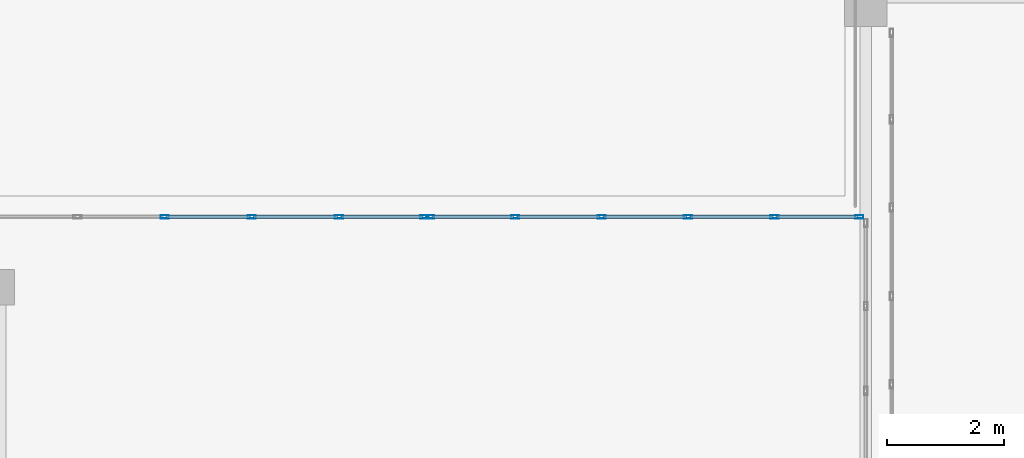
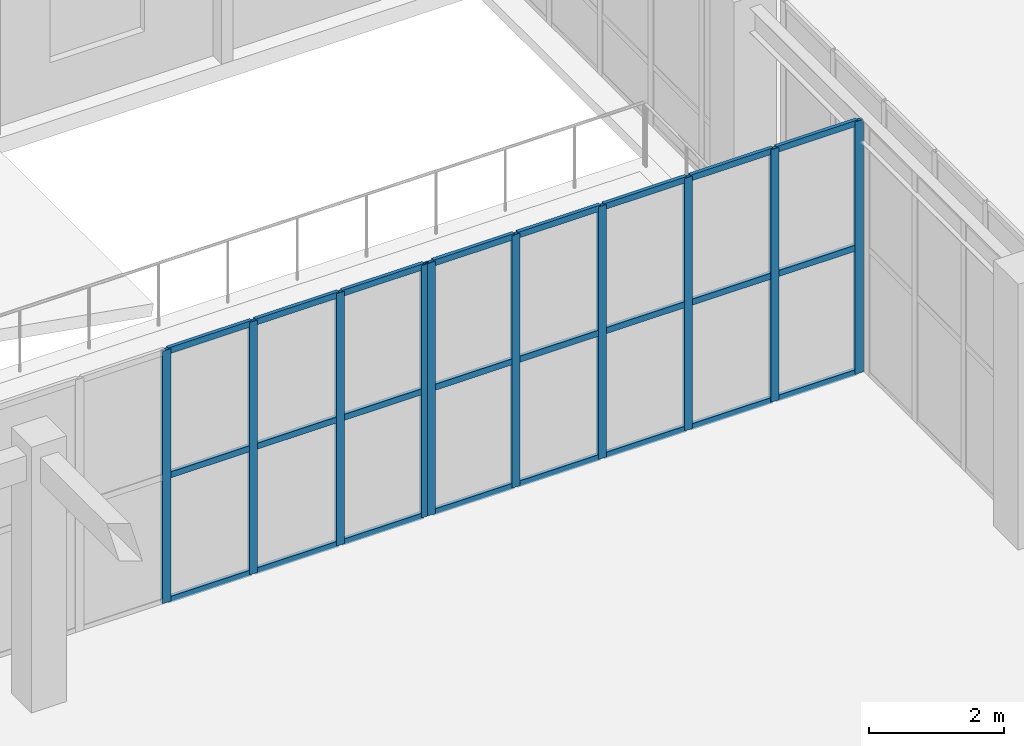
# One storey, part 70 of 158: 34 members, 2 elements without a shape of their own.
"""IFC4 building model written with IfcOpenShell, lengths in metres."""

import ifcopenshell
import ifcopenshell.guid

model = None  # the IFC model being written
_history = None  # IfcOwnerHistory: only IFC2X3 demands one
_inside = {}  # id of a spatial element -> (the spatial element, [elements in it])
_under = {}  # id of a project, library or spatial element -> (it, [spatial elements below it])
_declared = {}  # id of a project -> (the project, [libraries it declares])
_typed = {}  # id of a type object -> (the type object, [elements of that type])
_made_of = {}  # id of a material, layer set ... -> (it, [elements and type objects made of it])


def new_model(schema):
    """Start an empty IFC model of exactly this schema.

    Asked for "IFC4X3", IfcOpenShell would pick the latest addendum, in which some entities
    have other attributes; the version numbers below select the first issue.
    IFC2X3 requires an IfcOwnerHistory on every rooted entity: one is made here for all.
    """
    global model, _history
    if schema == "IFC4X3":
        model = ifcopenshell.file(schema_version=(4, 3, 0, 0))
    else:
        model = ifcopenshell.file(schema=schema)
    _inside.clear()
    _under.clear()
    _declared.clear()
    _typed.clear()
    _made_of.clear()
    _history = None
    if model.schema == "IFC2X3":
        org = make("IfcOrganization", Name="unknown")
        user = make(
            "IfcPersonAndOrganization",
            ThePerson=make("IfcPerson", FamilyName="unknown"),
            TheOrganization=org,
        )
        app = make(
            "IfcApplication",
            ApplicationDeveloper=org,
            Version="unknown",
            ApplicationFullName="unknown",
            ApplicationIdentifier="unknown",
        )
        _history = make(
            "IfcOwnerHistory",
            OwningUser=user,
            OwningApplication=app,
            ChangeAction="ADDED",
            CreationDate=0,
        )
    return model


def make(cls, **values):
    """One entity of the class cls with the attributes given. An attribute that is None is left unset."""
    return model.create_entity(
        cls, **{name: value for name, value in values.items() if value is not None}
    )


def rooted(cls, **values):
    """An entity with a GlobalId (a new one), such as an element, a storey or a relation."""
    return make(cls, GlobalId=ifcopenshell.guid.new(), OwnerHistory=_history, **values)


def si_unit(unit_type, name, prefix=None):
    """IfcSIUnit, for example si_unit("LENGTHUNIT", "METRE", prefix="MILLI")."""
    return make("IfcSIUnit", UnitType=unit_type, Prefix=prefix, Name=name)


def assignment(units):
    """IfcUnitAssignment: the units of a project."""
    return None if units is None else make("IfcUnitAssignment", Units=units)


def point(xyz):
    """IfcCartesianPoint."""
    return None if xyz is None else make("IfcCartesianPoint", Coordinates=xyz)


def direction(xyz):
    """IfcDirection."""
    return None if xyz is None else make("IfcDirection", DirectionRatios=xyz)


def frame(location, z_axis=None, x_axis=None):
    """IfcAxis2Placement3D, a coordinate frame: its origin and axes. An axis left out is left unset."""
    return make(
        "IfcAxis2Placement3D",
        Location=point(location),
        Axis=direction(z_axis),
        RefDirection=direction(x_axis),
    )


def frame_2d(location, x_axis=None):
    """IfcAxis2Placement2D, a coordinate frame in the plane: its origin and x axis."""
    return make(
        "IfcAxis2Placement2D", Location=point(location), RefDirection=direction(x_axis)
    )


def origin():
    """The frame at (0, 0, 0) with its axes left unset."""
    return frame((0.0, 0.0, 0.0))


def origin_2d():
    """The frame at (0, 0) in the plane with its x axis left unset."""
    return frame_2d((0.0, 0.0))


def place(relative_to, where):
    """IfcLocalPlacement: puts the frame where relative to a parent placement (None: the world)."""
    return make(
        "IfcLocalPlacement", PlacementRelTo=relative_to, RelativePlacement=where
    )


def context(
    kind, dimensions, precision=None, world=None, true_north=None, identifier=None
):
    """IfcGeometricRepresentationContext, for example the 3D "Model" context."""
    return make(
        "IfcGeometricRepresentationContext",
        ContextIdentifier=identifier,
        ContextType=kind,
        CoordinateSpaceDimension=dimensions,
        Precision=precision,
        WorldCoordinateSystem=world,
        TrueNorth=true_north,
    )


def subcontext(parent, identifier, kind, view, scale=None):
    """IfcGeometricRepresentationSubContext, for example "Body" below "Model"."""
    return make(
        "IfcGeometricRepresentationSubContext",
        ContextIdentifier=identifier,
        ContextType=kind,
        ParentContext=parent,
        TargetScale=scale,
        TargetView=view,
    )


def project(units=None, contexts=None):
    """IfcProject with its units and contexts."""
    return rooted(
        "IfcProject",
        Name="project",
        RepresentationContexts=contexts,
        UnitsInContext=assignment(units),
    )


def spatial(cls, under=None, at=None, **own):
    """A site, building, storey or space (cls), placed at a placement, below another one or the project."""
    s = rooted(cls, ObjectPlacement=at, **own)
    if under is not None:
        _under.setdefault(under.id(), (under, []))[1].append(s)
    return s


def profile(cls, at=None, kind="AREA", **sizes):
    """A parametric profile (cls). Its sizes go by their IFC names, for example OverallWidth=200.0."""
    return make(cls, ProfileType=kind, Position=at, **sizes)


def hollow_rectangle(**sizes):
    """IfcRectangleHollowProfileDef."""
    return profile("IfcRectangleHollowProfileDef", **sizes)


def extrude(swept, where, along, depth):
    """IfcExtrudedAreaSolid: the profile swept, set in the frame where, extruded along a direction by depth."""
    return make(
        "IfcExtrudedAreaSolid",
        SweptArea=swept,
        Position=where,
        ExtrudedDirection=direction(along),
        Depth=depth,
    )


def shape(context_of_items, identifier, shape_type, items):
    """IfcShapeRepresentation: the items that make up one representation, for example the "Body"."""
    return make(
        "IfcShapeRepresentation",
        ContextOfItems=context_of_items,
        RepresentationIdentifier=identifier,
        RepresentationType=shape_type,
        Items=items,
    )


def material(Name=None, Category=None):
    """IfcMaterial."""
    return make("IfcMaterial", Name=Name, Category=Category)


def layer(
    of_material, thickness, ventilated=None, Name=None, Category=None, Priority=None
):
    """IfcMaterialLayer: one layer of a wall or slab, of a material (None: an air gap)."""
    return make(
        "IfcMaterialLayer",
        Material=of_material,
        LayerThickness=thickness,
        IsVentilated=ventilated,
        Name=Name,
        Category=Category,
        Priority=Priority,
    )


def layer_set(layers, Name=None):
    """IfcMaterialLayerSet."""
    return make("IfcMaterialLayerSet", MaterialLayers=layers, LayerSetName=Name)


def material_profile(
    of_material, cross_section, Name=None, Category=None, Priority=None
):
    """IfcMaterialProfile: a cross section and its material."""
    return make(
        "IfcMaterialProfile",
        Name=Name,
        Material=of_material,
        Profile=cross_section,
        Priority=Priority,
        Category=Category,
    )


def profile_set(profiles, Name=None, composite=None):
    """IfcMaterialProfileSet."""
    return make(
        "IfcMaterialProfileSet",
        Name=Name,
        MaterialProfiles=profiles,
        CompositeProfile=composite,
    )


def made_of(thing, what):
    """Note that an element or type object is made of a material, layer set ...; save() writes the relation."""
    if what is not None:
        _made_of.setdefault(what.id(), (what, []))[1].append(thing)
    return thing


def type_object(cls, material=None, **own):
    """A type object (cls), such as IfcWallType, which elements share."""
    return made_of(rooted(cls, **own), material)


def element(
    cls,
    number,
    at=None,
    inside=None,
    cuts=None,
    type_object=None,
    material=None,
    context=None,
    identifier="Body",
    shape_type=None,
    held_by="IfcProductDefinitionShape",
    body=None,
    shapes=None,
    **own,
):
    """One element of the class cls, such as IfcWall. Its Tag is "e" and its number.

    at: its placement. inside: the storey or other place that contains it. cuts: it is an
    opening in that element (IfcRelVoidsElement). A single representation is given by context,
    identifier, shape_type and body (its items); several are given by shapes. held_by: the class
    of the entity that holds the representations. save() writes the other relations.
    """
    e = rooted(cls, Tag="e%d" % number, ObjectPlacement=at, **own)
    if body is not None:
        shapes = [shape(context, identifier, shape_type, body)]
    if shapes is not None:
        e.Representation = make(held_by, Representations=shapes)
    if inside is not None:
        _inside.setdefault(inside.id(), (inside, []))[1].append(e)
    if cuts is not None:
        rooted(
            "IfcRelVoidsElement", RelatingBuildingElement=cuts, RelatedOpeningElement=e
        )
    if type_object is not None:
        _typed.setdefault(type_object.id(), (type_object, []))[1].append(e)
    return made_of(e, material)


def aggregate(whole, parts):
    """IfcRelAggregates: a whole, such as a stair, and the parts it consists of."""
    return rooted("IfcRelAggregates", RelatingObject=whole, RelatedObjects=parts)


def save(model, path):
    """Write the relations noted so far, then the file.

    IfcRelAggregates (storeys below a building ...), IfcRelContainedInSpatialStructure (elements
    in a storey), IfcRelDefinesByType, IfcRelAssociatesMaterial and IfcRelDeclares: one each for
    every whole, place, type object, material and project.
    """
    for whole, parts in _under.values():
        aggregate(whole, parts)
    for where, things in _inside.values():
        rooted(
            "IfcRelContainedInSpatialStructure",
            RelatedElements=things,
            RelatingStructure=where,
        )
    for kind, things in _typed.values():
        rooted("IfcRelDefinesByType", RelatedObjects=things, RelatingType=kind)
    for what, things in _made_of.values():
        rooted("IfcRelAssociatesMaterial", RelatedObjects=things, RelatingMaterial=what)
    for by, libraries in _declared.values():
        rooted("IfcRelDeclares", RelatingContext=by, RelatedDefinitions=libraries)
    model.write(path)


model = new_model("IFC4")

# Units and contexts
model_context = context("Model", 3, precision=1e-05, world=origin(), true_north=direction((0.0, 1.0)))
body_context = subcontext(model_context, "Body", "Model", "MODEL_VIEW")
ifc_project = project(units=[si_unit("LENGTHUNIT", "METRE"), si_unit("AREAUNIT", "SQUARE_METRE"), si_unit("VOLUMEUNIT", "CUBIC_METRE"), si_unit("PLANEANGLEUNIT", "RADIAN"), si_unit("MASSUNIT", "GRAM", prefix="KILO")], contexts=[model_context])

# Site, building, storey
site_placement = place(None, origin())
site = spatial("IfcSite", under=ifc_project, at=site_placement, CompositionType="ELEMENT")
building_placement = place(site_placement, origin())
building = spatial("IfcBuilding", under=site, at=building_placement, Name="Trelvath General Hospital", CompositionType="ELEMENT")
storey_placement = place(building_placement, frame((0.0, 0.0, 8.10009765625)))
storey = spatial("IfcBuildingStorey", under=building, at=storey_placement, Name="L02", CompositionType="ELEMENT", Elevation=8.10009765625)

# Curtain wall, members
ifc_material_1 = material(Name="Anodised aluminium and low-E glass", Category="aluminium")
ifc_layer_1 = layer(ifc_material_1, 0.139892578125)
ifc_layer_set_1 = layer_set([ifc_layer_1], Name="Anodised aluminium and low-E glass")
curtain_wall_type_1 = type_object("IfcCurtainWallType", Name="CW CrystalCube 743 456 14", PredefinedType="USERDEFINED", material=ifc_layer_set_1)
curtain_wall_1_placement = place(storey_placement, origin())
curtain_wall_1 = element("IfcCurtainWall", 1, at=curtain_wall_1_placement, inside=storey, type_object=curtain_wall_type_1, Name="Crystal Cube Curtain Wall CUBE-W-T1 N2 L02", ObjectType="Unitised Glazed Curtain Wall", PredefinedType="USERDEFINED")
ifc_material_2 = material(Name="Anodised aluminium", Category="aluminium")
ifc_material_profile_1 = material_profile(ifc_material_2, hollow_rectangle(XDim=0.06005859375, YDim=0.139892578125, WallThickness=0.00390625, at=origin_2d()), Name="RHS60x140x4")
ifc_profile_set_1 = profile_set([ifc_material_profile_1], Name="Anodised aluminium")
member_type_1 = type_object("IfcMemberType", Name="CurtainMullion 60x140", PredefinedType="MULLION", material=ifc_profile_set_1)
member_1_placement = place(storey_placement, frame((63.6572265625, 80.39990234375, 0.0), z_axis=(0.0, 0.0, 1.0), x_axis=(0.0, 1.0, 0.0)))
member_1 = element("IfcMember", 2, at=member_1_placement, type_object=member_type_1, Name="CW-194 mullion 3", PredefinedType="MULLION", context=body_context, shape_type="SweptSolid", body=[
    extrude(hollow_rectangle(XDim=0.06005859375, YDim=0.139892578125, WallThickness=0.00390625, at=origin_2d()), origin(), (0.0, 0.0, 1.0), 4.559814453125),
])
member_2_placement = place(storey_placement, frame((65.142578125, 80.39990234375, 0.0), z_axis=(0.0, 0.0, 1.0), x_axis=(0.0, 1.0, 0.0)))
member_2 = element("IfcMember", 3, at=member_2_placement, type_object=member_type_1, Name="CW-194 mullion 4", PredefinedType="MULLION", context=body_context, shape_type="SweptSolid", body=[
    extrude(hollow_rectangle(XDim=0.06005859375, YDim=0.139892578125, WallThickness=0.00390625, at=origin_2d()), origin(), (0.0, 0.0, 1.0), 4.559814453125),
])
member_3_placement = place(storey_placement, frame((66.6279296875, 80.39990234375, 0.0), z_axis=(0.0, 0.0, 1.0), x_axis=(0.0, 1.0, 0.0)))
member_3 = element("IfcMember", 4, at=member_3_placement, type_object=member_type_1, Name="CW-194 mullion 5", PredefinedType="MULLION", context=body_context, shape_type="SweptSolid", body=[
    extrude(hollow_rectangle(XDim=0.06005859375, YDim=0.139892578125, WallThickness=0.00390625, at=origin_2d()), origin(), (0.0, 0.0, 1.0), 4.559814453125),
])
member_4_placement = place(storey_placement, frame((68.083251953125, 80.39990234375, 0.0), z_axis=(0.0, 0.0, 1.0), x_axis=(0.0, 1.0, 0.0)))
member_4 = element("IfcMember", 5, at=member_4_placement, type_object=member_type_1, Name="CW-194 mullion 6", PredefinedType="MULLION", context=body_context, shape_type="SweptSolid", body=[
    extrude(hollow_rectangle(XDim=0.06005859375, YDim=0.139892578125, WallThickness=0.00390625, at=origin_2d()), origin(), (0.0, 0.0, 1.0), 4.559814453125),
])

ifc_material_3 = material(Name="Anodised aluminium and low-E glass", Category="aluminium")
ifc_layer_2 = layer(ifc_material_3, 0.139892578125)
ifc_layer_set_2 = layer_set([ifc_layer_2], Name="Anodised aluminium and low-E glass")
curtain_wall_type_2 = type_object("IfcCurtainWallType", Name="CW CrystalCube 737 456 14", PredefinedType="USERDEFINED", material=ifc_layer_set_2)
curtain_wall_2_placement = place(storey_placement, origin())
curtain_wall_2 = element("IfcCurtainWall", 6, at=curtain_wall_2_placement, inside=storey, type_object=curtain_wall_type_2, Name="Crystal Cube Curtain Wall CUBE-W-T1 N3 L02", ObjectType="Unitised Glazed Curtain Wall", PredefinedType="USERDEFINED")
member_5_placement = place(storey_placement, frame((68.183349609375, 80.39990234375, 0.0), z_axis=(0.0, 0.0, 1.0), x_axis=(0.0, 1.0, 0.0)))
member_5 = element("IfcMember", 7, at=member_5_placement, type_object=member_type_1, Name="CW-195 mullion 1", PredefinedType="MULLION", context=body_context, shape_type="SweptSolid", body=[
    extrude(hollow_rectangle(XDim=0.06005859375, YDim=0.139892578125, WallThickness=0.00390625, at=origin_2d()), origin(), (0.0, 0.0, 1.0), 4.559814453125),
])
member_6_placement = place(storey_placement, frame((69.626708984375, 80.39990234375, 0.0), z_axis=(0.0, 0.0, 1.0), x_axis=(0.0, 1.0, 0.0)))
member_6 = element("IfcMember", 8, at=member_6_placement, type_object=member_type_1, Name="CW-195 mullion 2", PredefinedType="MULLION", context=body_context, shape_type="SweptSolid", body=[
    extrude(hollow_rectangle(XDim=0.06005859375, YDim=0.139892578125, WallThickness=0.00390625, at=origin_2d()), origin(), (0.0, 0.0, 1.0), 4.559814453125),
])
member_7_placement = place(storey_placement, frame((71.10009765625, 80.39990234375, 0.0), z_axis=(0.0, 0.0, 1.0), x_axis=(0.0, 1.0, 0.0)))
member_7 = element("IfcMember", 9, at=member_7_placement, type_object=member_type_1, Name="CW-195 mullion 3", PredefinedType="MULLION", context=body_context, shape_type="SweptSolid", body=[
    extrude(hollow_rectangle(XDim=0.06005859375, YDim=0.139892578125, WallThickness=0.00390625, at=origin_2d()), origin(), (0.0, 0.0, 1.0), 4.559814453125),
])
member_8_placement = place(storey_placement, frame((72.5732421875, 80.39990234375, 0.0), z_axis=(0.0, 0.0, 1.0), x_axis=(0.0, 1.0, 0.0)))
member_8 = element("IfcMember", 10, at=member_8_placement, type_object=member_type_1, Name="CW-195 mullion 4", PredefinedType="MULLION", context=body_context, shape_type="SweptSolid", body=[
    extrude(hollow_rectangle(XDim=0.06005859375, YDim=0.139892578125, WallThickness=0.00390625, at=origin_2d()), origin(), (0.0, 0.0, 1.0), 4.559814453125),
])
member_9_placement = place(storey_placement, frame((74.046630859375, 80.39990234375, 0.0), z_axis=(0.0, 0.0, 1.0), x_axis=(0.0, 1.0, 0.0)))
member_9 = element("IfcMember", 11, at=member_9_placement, type_object=member_type_1, Name="CW-195 mullion 5", PredefinedType="MULLION", context=body_context, shape_type="SweptSolid", body=[
    extrude(hollow_rectangle(XDim=0.06005859375, YDim=0.139892578125, WallThickness=0.00390625, at=origin_2d()), origin(), (0.0, 0.0, 1.0), 4.559814453125),
])
member_10_placement = place(storey_placement, frame((75.489990234375, 80.39990234375, 0.0), z_axis=(0.0, 0.0, 1.0), x_axis=(0.0, 1.0, 0.0)))
member_10 = element("IfcMember", 12, at=member_10_placement, type_object=member_type_1, Name="CW-195 mullion 6", PredefinedType="MULLION", context=body_context, shape_type="SweptSolid", body=[
    extrude(hollow_rectangle(XDim=0.06005859375, YDim=0.139892578125, WallThickness=0.00390625, at=origin_2d()), origin(), (0.0, 0.0, 1.0), 4.559814453125),
])

# Member
ifc_material_4 = material(Name="Anodised aluminium", Category="aluminium")
ifc_material_profile_2 = material_profile(ifc_material_4, hollow_rectangle(XDim=0.06005859375, YDim=0.110107421875, WallThickness=0.00390625, at=origin_2d()), Name="RHS60x110x4")
ifc_profile_set_2 = profile_set([ifc_material_profile_2], Name="Anodised aluminium")
member_type_2 = type_object("IfcMemberType", Name="CurtainTransom 60x110", PredefinedType="USERDEFINED", material=ifc_profile_set_2)
member_11_placement = place(storey_placement, frame((63.687255859375, 80.39990234375, 0.02978515625), z_axis=(1.0, 0.0, 0.0), x_axis=(0.0, 1.0, 0.0)))
member_11 = element("IfcMember", 13, at=member_11_placement, type_object=member_type_2, Name="CW-194 transom 3.1", ObjectType="TRANSOM", PredefinedType="USERDEFINED", context=body_context, shape_type="SweptSolid", body=[
    extrude(hollow_rectangle(XDim=0.06005859375, YDim=0.110107421875, WallThickness=0.00390625, at=origin_2d()), origin(), (0.0, 0.0, 1.0), 1.42529296875),
])

member_12_placement = place(storey_placement, frame((63.687255859375, 80.39990234375, 2.27978515625), z_axis=(1.0, 0.0, 0.0), x_axis=(0.0, 1.0, 0.0)))
member_12 = element("IfcMember", 14, at=member_12_placement, type_object=member_type_2, Name="CW-194 transom 3.2", ObjectType="TRANSOM", PredefinedType="USERDEFINED", context=body_context, shape_type="SweptSolid", body=[
    extrude(hollow_rectangle(XDim=0.06005859375, YDim=0.110107421875, WallThickness=0.00390625, at=origin_2d()), origin(), (0.0, 0.0, 1.0), 1.42529296875),
])

member_13_placement = place(storey_placement, frame((63.687255859375, 80.39990234375, 4.52978515625), z_axis=(1.0, 0.0, 0.0), x_axis=(0.0, 1.0, 0.0)))
member_13 = element("IfcMember", 15, at=member_13_placement, type_object=member_type_2, Name="CW-194 transom 3.3", ObjectType="TRANSOM", PredefinedType="USERDEFINED", context=body_context, shape_type="SweptSolid", body=[
    extrude(hollow_rectangle(XDim=0.06005859375, YDim=0.110107421875, WallThickness=0.00390625, at=origin_2d()), origin(), (0.0, 0.0, 1.0), 1.42529296875),
])

member_14_placement = place(storey_placement, frame((65.172607421875, 80.39990234375, 0.02978515625), z_axis=(1.0, 0.0, 0.0), x_axis=(0.0, 1.0, 0.0)))
member_14 = element("IfcMember", 16, at=member_14_placement, type_object=member_type_2, Name="CW-194 transom 4.1", ObjectType="TRANSOM", PredefinedType="USERDEFINED", context=body_context, shape_type="SweptSolid", body=[
    extrude(hollow_rectangle(XDim=0.06005859375, YDim=0.110107421875, WallThickness=0.00390625, at=origin_2d()), origin(), (0.0, 0.0, 1.0), 1.42529296875),
])

member_15_placement = place(storey_placement, frame((65.172607421875, 80.39990234375, 2.27978515625), z_axis=(1.0, 0.0, 0.0), x_axis=(0.0, 1.0, 0.0)))
member_15 = element("IfcMember", 17, at=member_15_placement, type_object=member_type_2, Name="CW-194 transom 4.2", ObjectType="TRANSOM", PredefinedType="USERDEFINED", context=body_context, shape_type="SweptSolid", body=[
    extrude(hollow_rectangle(XDim=0.06005859375, YDim=0.110107421875, WallThickness=0.00390625, at=origin_2d()), origin(), (0.0, 0.0, 1.0), 1.42529296875),
])

member_16_placement = place(storey_placement, frame((65.172607421875, 80.39990234375, 4.52978515625), z_axis=(1.0, 0.0, 0.0), x_axis=(0.0, 1.0, 0.0)))
member_16 = element("IfcMember", 18, at=member_16_placement, type_object=member_type_2, Name="CW-194 transom 4.3", ObjectType="TRANSOM", PredefinedType="USERDEFINED", context=body_context, shape_type="SweptSolid", body=[
    extrude(hollow_rectangle(XDim=0.06005859375, YDim=0.110107421875, WallThickness=0.00390625, at=origin_2d()), origin(), (0.0, 0.0, 1.0), 1.42529296875),
])

member_17_placement = place(storey_placement, frame((66.657958984375, 80.39990234375, 0.02978515625), z_axis=(1.0, 0.0, 0.0), x_axis=(0.0, 1.0, 0.0)))
member_17 = element("IfcMember", 19, at=member_17_placement, type_object=member_type_2, Name="CW-194 transom 5.1", ObjectType="TRANSOM", PredefinedType="USERDEFINED", context=body_context, shape_type="SweptSolid", body=[
    extrude(hollow_rectangle(XDim=0.06005859375, YDim=0.110107421875, WallThickness=0.00390625, at=origin_2d()), origin(), (0.0, 0.0, 1.0), 1.395263671875),
])

member_18_placement = place(storey_placement, frame((66.657958984375, 80.39990234375, 2.27978515625), z_axis=(1.0, 0.0, 0.0), x_axis=(0.0, 1.0, 0.0)))
member_18 = element("IfcMember", 20, at=member_18_placement, type_object=member_type_2, Name="CW-194 transom 5.2", ObjectType="TRANSOM", PredefinedType="USERDEFINED", context=body_context, shape_type="SweptSolid", body=[
    extrude(hollow_rectangle(XDim=0.06005859375, YDim=0.110107421875, WallThickness=0.00390625, at=origin_2d()), origin(), (0.0, 0.0, 1.0), 1.395263671875),
])

member_19_placement = place(storey_placement, frame((66.657958984375, 80.39990234375, 4.52978515625), z_axis=(1.0, 0.0, 0.0), x_axis=(0.0, 1.0, 0.0)))
member_19 = element("IfcMember", 21, at=member_19_placement, type_object=member_type_2, Name="CW-194 transom 5.3", ObjectType="TRANSOM", PredefinedType="USERDEFINED", context=body_context, shape_type="SweptSolid", body=[
    extrude(hollow_rectangle(XDim=0.06005859375, YDim=0.110107421875, WallThickness=0.00390625, at=origin_2d()), origin(), (0.0, 0.0, 1.0), 1.395263671875),
])

aggregate(curtain_wall_1, [member_1, member_2, member_3, member_4, member_11, member_12, member_13, member_14, member_15, member_16, member_17, member_18, member_19])

member_20_placement = place(storey_placement, frame((68.21337890625, 80.39990234375, 0.02978515625), z_axis=(1.0, 0.0, 0.0), x_axis=(0.0, 1.0, 0.0)))
member_20 = element("IfcMember", 22, at=member_20_placement, type_object=member_type_2, Name="CW-195 transom 1.1", ObjectType="TRANSOM", PredefinedType="USERDEFINED", context=body_context, shape_type="SweptSolid", body=[
    extrude(hollow_rectangle(XDim=0.06005859375, YDim=0.110107421875, WallThickness=0.00390625, at=origin_2d()), origin(), (0.0, 0.0, 1.0), 1.38330078125),
])

member_21_placement = place(storey_placement, frame((68.21337890625, 80.39990234375, 2.27978515625), z_axis=(1.0, 0.0, 0.0), x_axis=(0.0, 1.0, 0.0)))
member_21 = element("IfcMember", 23, at=member_21_placement, type_object=member_type_2, Name="CW-195 transom 1.2", ObjectType="TRANSOM", PredefinedType="USERDEFINED", context=body_context, shape_type="SweptSolid", body=[
    extrude(hollow_rectangle(XDim=0.06005859375, YDim=0.110107421875, WallThickness=0.00390625, at=origin_2d()), origin(), (0.0, 0.0, 1.0), 1.38330078125),
])

member_22_placement = place(storey_placement, frame((68.21337890625, 80.39990234375, 4.52978515625), z_axis=(1.0, 0.0, 0.0), x_axis=(0.0, 1.0, 0.0)))
member_22 = element("IfcMember", 24, at=member_22_placement, type_object=member_type_2, Name="CW-195 transom 1.3", ObjectType="TRANSOM", PredefinedType="USERDEFINED", context=body_context, shape_type="SweptSolid", body=[
    extrude(hollow_rectangle(XDim=0.06005859375, YDim=0.110107421875, WallThickness=0.00390625, at=origin_2d()), origin(), (0.0, 0.0, 1.0), 1.38330078125),
])

member_23_placement = place(storey_placement, frame((69.65673828125, 80.39990234375, 0.02978515625), z_axis=(1.0, 0.0, 0.0), x_axis=(0.0, 1.0, 0.0)))
member_23 = element("IfcMember", 25, at=member_23_placement, type_object=member_type_2, Name="CW-195 transom 2.1", ObjectType="TRANSOM", PredefinedType="USERDEFINED", context=body_context, shape_type="SweptSolid", body=[
    extrude(hollow_rectangle(XDim=0.06005859375, YDim=0.110107421875, WallThickness=0.00390625, at=origin_2d()), origin(), (0.0, 0.0, 1.0), 1.413330078125),
])

member_24_placement = place(storey_placement, frame((69.65673828125, 80.39990234375, 2.27978515625), z_axis=(1.0, 0.0, 0.0), x_axis=(0.0, 1.0, 0.0)))
member_24 = element("IfcMember", 26, at=member_24_placement, type_object=member_type_2, Name="CW-195 transom 2.2", ObjectType="TRANSOM", PredefinedType="USERDEFINED", context=body_context, shape_type="SweptSolid", body=[
    extrude(hollow_rectangle(XDim=0.06005859375, YDim=0.110107421875, WallThickness=0.00390625, at=origin_2d()), origin(), (0.0, 0.0, 1.0), 1.413330078125),
])

member_25_placement = place(storey_placement, frame((69.65673828125, 80.39990234375, 4.52978515625), z_axis=(1.0, 0.0, 0.0), x_axis=(0.0, 1.0, 0.0)))
member_25 = element("IfcMember", 27, at=member_25_placement, type_object=member_type_2, Name="CW-195 transom 2.3", ObjectType="TRANSOM", PredefinedType="USERDEFINED", context=body_context, shape_type="SweptSolid", body=[
    extrude(hollow_rectangle(XDim=0.06005859375, YDim=0.110107421875, WallThickness=0.00390625, at=origin_2d()), origin(), (0.0, 0.0, 1.0), 1.413330078125),
])

member_26_placement = place(storey_placement, frame((71.1298828125, 80.39990234375, 0.02978515625), z_axis=(1.0, 0.0, 0.0), x_axis=(0.0, 1.0, 0.0)))
member_26 = element("IfcMember", 28, at=member_26_placement, type_object=member_type_2, Name="CW-195 transom 3.1", ObjectType="TRANSOM", PredefinedType="USERDEFINED", context=body_context, shape_type="SweptSolid", body=[
    extrude(hollow_rectangle(XDim=0.06005859375, YDim=0.110107421875, WallThickness=0.00390625, at=origin_2d()), origin(), (0.0, 0.0, 1.0), 1.413330078125),
])

member_27_placement = place(storey_placement, frame((71.1298828125, 80.39990234375, 2.27978515625), z_axis=(1.0, 0.0, 0.0), x_axis=(0.0, 1.0, 0.0)))
member_27 = element("IfcMember", 29, at=member_27_placement, type_object=member_type_2, Name="CW-195 transom 3.2", ObjectType="TRANSOM", PredefinedType="USERDEFINED", context=body_context, shape_type="SweptSolid", body=[
    extrude(hollow_rectangle(XDim=0.06005859375, YDim=0.110107421875, WallThickness=0.00390625, at=origin_2d()), origin(), (0.0, 0.0, 1.0), 1.413330078125),
])

member_28_placement = place(storey_placement, frame((71.1298828125, 80.39990234375, 4.52978515625), z_axis=(1.0, 0.0, 0.0), x_axis=(0.0, 1.0, 0.0)))
member_28 = element("IfcMember", 30, at=member_28_placement, type_object=member_type_2, Name="CW-195 transom 3.3", ObjectType="TRANSOM", PredefinedType="USERDEFINED", context=body_context, shape_type="SweptSolid", body=[
    extrude(hollow_rectangle(XDim=0.06005859375, YDim=0.110107421875, WallThickness=0.00390625, at=origin_2d()), origin(), (0.0, 0.0, 1.0), 1.413330078125),
])

member_29_placement = place(storey_placement, frame((72.603271484375, 80.39990234375, 0.02978515625), z_axis=(1.0, 0.0, 0.0), x_axis=(0.0, 1.0, 0.0)))
member_29 = element("IfcMember", 31, at=member_29_placement, type_object=member_type_2, Name="CW-195 transom 4.1", ObjectType="TRANSOM", PredefinedType="USERDEFINED", context=body_context, shape_type="SweptSolid", body=[
    extrude(hollow_rectangle(XDim=0.06005859375, YDim=0.110107421875, WallThickness=0.00390625, at=origin_2d()), origin(), (0.0, 0.0, 1.0), 1.413330078125),
])

member_30_placement = place(storey_placement, frame((72.603271484375, 80.39990234375, 2.27978515625), z_axis=(1.0, 0.0, 0.0), x_axis=(0.0, 1.0, 0.0)))
member_30 = element("IfcMember", 32, at=member_30_placement, type_object=member_type_2, Name="CW-195 transom 4.2", ObjectType="TRANSOM", PredefinedType="USERDEFINED", context=body_context, shape_type="SweptSolid", body=[
    extrude(hollow_rectangle(XDim=0.06005859375, YDim=0.110107421875, WallThickness=0.00390625, at=origin_2d()), origin(), (0.0, 0.0, 1.0), 1.413330078125),
])

member_31_placement = place(storey_placement, frame((72.603271484375, 80.39990234375, 4.52978515625), z_axis=(1.0, 0.0, 0.0), x_axis=(0.0, 1.0, 0.0)))
member_31 = element("IfcMember", 33, at=member_31_placement, type_object=member_type_2, Name="CW-195 transom 4.3", ObjectType="TRANSOM", PredefinedType="USERDEFINED", context=body_context, shape_type="SweptSolid", body=[
    extrude(hollow_rectangle(XDim=0.06005859375, YDim=0.110107421875, WallThickness=0.00390625, at=origin_2d()), origin(), (0.0, 0.0, 1.0), 1.413330078125),
])

member_32_placement = place(storey_placement, frame((74.07666015625, 80.39990234375, 0.02978515625), z_axis=(1.0, 0.0, 0.0), x_axis=(0.0, 1.0, 0.0)))
member_32 = element("IfcMember", 34, at=member_32_placement, type_object=member_type_2, Name="CW-195 transom 5.1", ObjectType="TRANSOM", PredefinedType="USERDEFINED", context=body_context, shape_type="SweptSolid", body=[
    extrude(hollow_rectangle(XDim=0.06005859375, YDim=0.110107421875, WallThickness=0.00390625, at=origin_2d()), origin(), (0.0, 0.0, 1.0), 1.38330078125),
])

member_33_placement = place(storey_placement, frame((74.07666015625, 80.39990234375, 2.27978515625), z_axis=(1.0, 0.0, 0.0), x_axis=(0.0, 1.0, 0.0)))
member_33 = element("IfcMember", 35, at=member_33_placement, type_object=member_type_2, Name="CW-195 transom 5.2", ObjectType="TRANSOM", PredefinedType="USERDEFINED", context=body_context, shape_type="SweptSolid", body=[
    extrude(hollow_rectangle(XDim=0.06005859375, YDim=0.110107421875, WallThickness=0.00390625, at=origin_2d()), origin(), (0.0, 0.0, 1.0), 1.38330078125),
])

member_34_placement = place(storey_placement, frame((74.07666015625, 80.39990234375, 4.52978515625), z_axis=(1.0, 0.0, 0.0), x_axis=(0.0, 1.0, 0.0)))
member_34 = element("IfcMember", 36, at=member_34_placement, type_object=member_type_2, Name="CW-195 transom 5.3", ObjectType="TRANSOM", PredefinedType="USERDEFINED", context=body_context, shape_type="SweptSolid", body=[
    extrude(hollow_rectangle(XDim=0.06005859375, YDim=0.110107421875, WallThickness=0.00390625, at=origin_2d()), origin(), (0.0, 0.0, 1.0), 1.38330078125),
])

aggregate(curtain_wall_2, [member_5, member_6, member_7, member_8, member_9, member_10, member_20, member_21, member_22, member_23, member_24, member_25, member_26, member_27, member_28, member_29, member_30, member_31, member_32, member_33, member_34])

save(model, "model.ifc")
